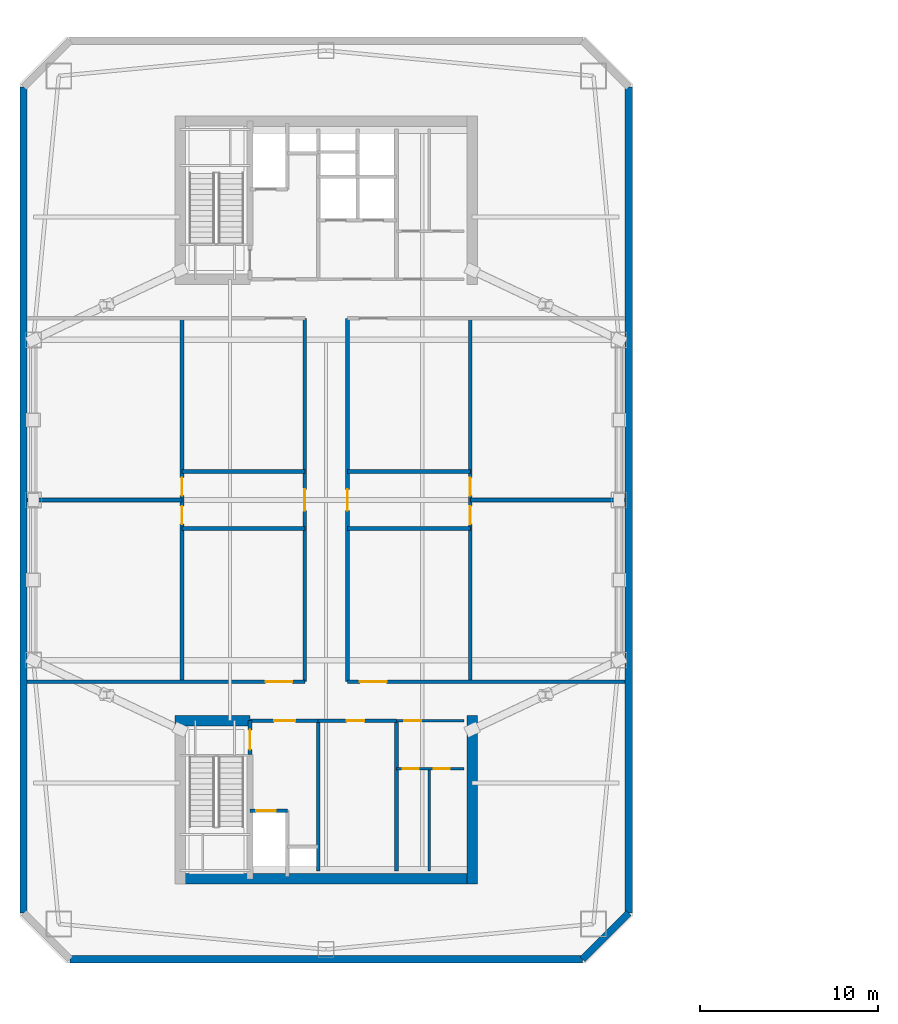
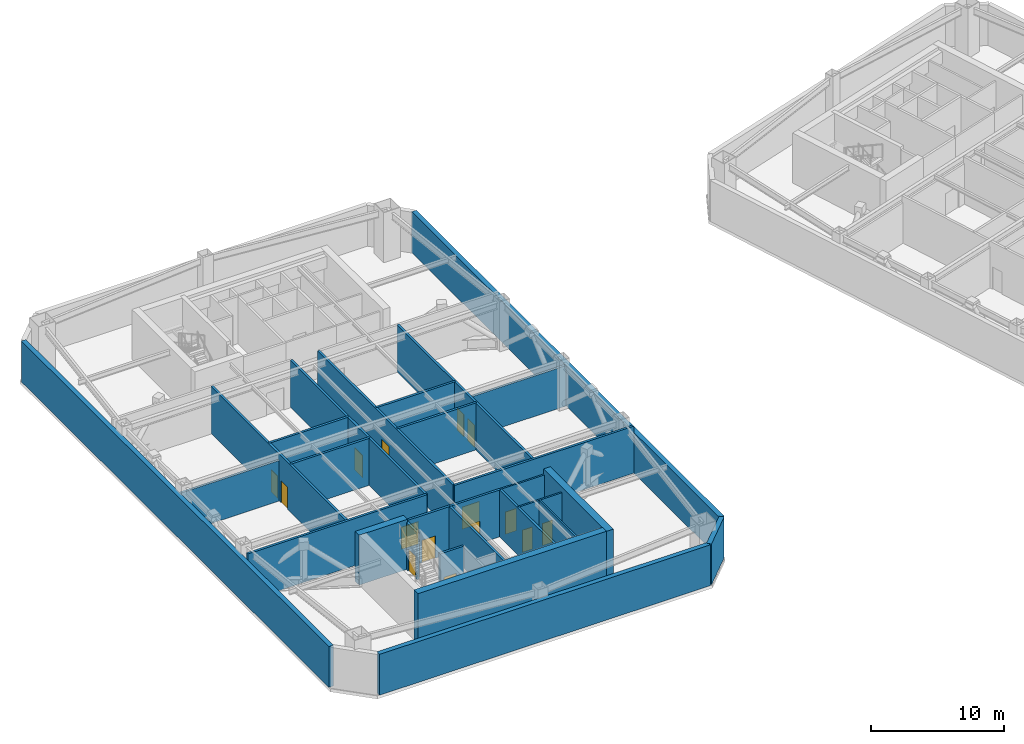
# One storey, part 10 of 17: 28 walls, 15 doors, 15 openings.
"""IFC4 building model written with IfcOpenShell, lengths in metres."""

from ifc_helpers import new_model, si_unit, direction, frame, frame_2d, origin, place, context, subcontext, project, spatial, rectangle, extrude, material, layer, layer_set, type_object, element, fill, save


model = new_model("IFC4")

# Units and contexts
model_context = context("Model", 3, precision=1e-05, world=origin(), true_north=direction((0.0, 1.0)))
body_context = subcontext(model_context, "Body", "Model", "MODEL_VIEW")
ifc_project = project(units=[si_unit("LENGTHUNIT", "METRE"), si_unit("AREAUNIT", "SQUARE_METRE"), si_unit("VOLUMEUNIT", "CUBIC_METRE"), si_unit("PLANEANGLEUNIT", "RADIAN"), si_unit("MASSUNIT", "GRAM", prefix="KILO")], contexts=[model_context])

# Site, building, storey
site_placement = place(None, origin())
site = spatial("IfcSite", under=ifc_project, at=site_placement, CompositionType="ELEMENT")
building_placement = place(site_placement, origin())
building = spatial("IfcBuilding", under=site, at=building_placement, Name="Qiaolan Cultural Towers", CompositionType="ELEMENT")
storey_placement = place(building_placement, frame((0.0, 0.0, 184.0)))
storey = spatial("IfcBuildingStorey", under=building, at=storey_placement, Name="L49", CompositionType="ELEMENT", Elevation=184.0)

# Walls
ifc_material_1 = material(Name="Concrete C55", Category="concrete")
ifc_layer_1 = layer(ifc_material_1, 0.60009765625)
ifc_layer_set_1 = layer_set([ifc_layer_1], Name="Concrete C55")
wall_type_1 = type_object("IfcWallType", Name="WL-CORE-600", PredefinedType="SHEAR", material=ifc_layer_set_1)
wall_1_placement = place(storey_placement, frame((21.5, 12.719970703125, 0.0), z_axis=(0.0, 0.0, 1.0), x_axis=(1.0, 0.0, 0.0)))
element("IfcWall", 1, at=wall_1_placement, inside=storey, type_object=wall_type_1, Name="L49 T1-CS Outer Core Shear Wall", PredefinedType="SHEAR", context=body_context, shape_type="SweptSolid", body=[
    extrude(rectangle(XDim=17.0, YDim=0.60009765625, at=frame_2d((8.5, 0.0))), origin(), (0.0, 0.0, 1.0), 4.60009765625),
])
wall_2_placement = place(storey_placement, frame((38.199951171875, 21.89990234375, 0.0), z_axis=(0.0, 0.0, 1.0), x_axis=(0.0, -1.0, 0.0)))
element("IfcWall", 2, at=wall_2_placement, inside=storey, type_object=wall_type_1, Name="L49 T1-CS East Core Shear Wall", PredefinedType="SHEAR", context=body_context, shape_type="SweptSolid", body=[
    extrude(rectangle(XDim=9.47998046875, YDim=0.60009765625, at=frame_2d((4.739990234375, 0.0))), origin(), (0.0, 0.0, 1.0), 4.60009765625),
])
wall_3_placement = place(storey_placement, frame((21.5, 21.60009765625, 0.0), z_axis=(0.0, 0.0, 1.0), x_axis=(1.0, 0.0, 0.0)))
element("IfcWall", 3, at=wall_3_placement, inside=storey, type_object=wall_type_1, Name="L49 T1-CS Stair Front Shear Wall", PredefinedType="SHEAR", context=body_context, shape_type="SweptSolid", body=[
    extrude(rectangle(XDim=4.219970703125, YDim=0.60009765625, at=frame_2d((2.10986328125, 0.0))), origin(), (0.0, 0.0, 1.0), 4.60009765625),
])
ifc_material_2 = material(Name="Precast Concrete C50 Honed Stone Pier", Category="masonry")
ifc_layer_2 = layer(ifc_material_2, 0.39990234375)
ifc_layer_set_2 = layer_set([ifc_layer_2], Name="Precast Concrete C50 Honed Stone Pier")
wall_type_2 = type_object("IfcWallType", Name="WL-EXT-PIER-400", PredefinedType="SOLIDWALL", material=ifc_layer_set_2)
for number, where, z_axis, x_axis, name in (
    (4, (13.0, 10.800048828125, 0.0), (0.0, 0.0, 1.0), (0.0, 1.0, 0.0), "L49 West Tower Precast Pier Facade Wall F1"),
    (5, (47.0, 57.199951171875, 0.0), (0.0, 0.0, 1.0), (0.0, -1.0, 0.0), "L49 West Tower Precast Pier Facade Wall F5"),
):
    element("IfcWall", number, at=place(storey_placement, frame(where, z_axis=z_axis, x_axis=x_axis)), inside=storey, type_object=wall_type_2, Name=name, PredefinedType="SOLIDWALL", context=body_context, shape_type="SweptSolid", body=[
        extrude(rectangle(XDim=46.39990234375, YDim=0.39990234375, at=frame_2d((23.199951171875, 0.0))), origin(), (0.0, 0.0, 1.0), 3.760009765625),
    ])
wall_4_placement = place(storey_placement, frame((47.0, 10.800048828125, 0.0), z_axis=(0.0, 0.0, 1.0), x_axis=(-0.707106781187, -0.707106781187, 0.0)))
element("IfcWall", 6, at=wall_4_placement, inside=storey, type_object=wall_type_2, Name="L49 West Tower Precast Pier Facade Wall F6", PredefinedType="SOLIDWALL", context=body_context, shape_type="SweptSolid", body=[
    extrude(rectangle(XDim=3.677001953125, YDim=0.39990234375, at=frame_2d((1.83837890625, 0.0))), origin(), (0.0, 0.0, 1.0), 3.760009765625),
])
wall_5_placement = place(storey_placement, frame((44.39990234375, 8.199951171875, 0.0), z_axis=(0.0, 0.0, 1.0), x_axis=(-1.0, 0.0, 0.0)))
element("IfcWall", 7, at=wall_5_placement, inside=storey, type_object=wall_type_2, Name="L49 West Tower Precast Pier Facade Wall F7", PredefinedType="SOLIDWALL", context=body_context, shape_type="SweptSolid", body=[
    extrude(rectangle(XDim=28.7998046875, YDim=0.39990234375, at=frame_2d((14.39990234375, 0.0))), origin(), (0.0, 0.0, 1.0), 3.760009765625),
])

# Wall, opening, door
ifc_material_3 = material(Name="Concrete C35 Fire Wall", Category="concrete")
ifc_layer_3 = layer(ifc_material_3, 0.199951171875)
ifc_layer_set_3 = layer_set([ifc_layer_3], Name="Concrete C35 Fire Wall")
wall_type_3 = type_object("IfcWallType", Name="WL-FIRE-200", PredefinedType="PARTITIONING", material=ifc_layer_set_3)
wall_6_placement = place(storey_placement, frame((25.719970703125, 21.60009765625, 0.0), z_axis=(0.0, 0.0, 1.0), x_axis=(0.0, -1.0, 0.0)))
wall_6 = element("IfcWall", 8, at=wall_6_placement, inside=storey, type_object=wall_type_3, Name="L49 T1-CS Smokeproof Stair Entry Wall", PredefinedType="PARTITIONING", context=body_context, shape_type="SweptSolid", body=[
    extrude(rectangle(XDim=1.900146484375, YDim=0.199951171875, at=frame_2d((0.9501953125, 0.0))), origin(), (0.0, 0.0, 1.0), 4.324951171875),
])
opening_1_placement = place(wall_6_placement, frame((0.52001953125, 0.0, 0.0)))
opening_1 = element("IfcOpeningElement", 9, at=opening_1_placement, cuts=wall_6, Name="Opening FD-04", PredefinedType="OPENING", context=body_context, shape_type="SweptSolid", body=[
    extrude(rectangle(XDim=1.10009765625, YDim=2.050048828125, at=frame_2d((0.550048828125, 1.02490234375))), frame((0.0, 0.10986328125, 0.0), z_axis=(0.0, -1.0, 0.0), x_axis=(1.0, 0.0, 0.0)), (0.0, 0.0, 1.0), 0.219970703125),
])
ifc_material_4 = material(Name="Galvanized Steel Command Fire Door", Category="steel")
door_type_1 = type_object("IfcDoorType", Name="DR-FD90-1100", OperationType="NOTDEFINED", PredefinedType="DOOR", material=ifc_material_4)
door_1_placement = place(opening_1_placement, origin())
door_1 = element("IfcDoor", 10, at=door_1_placement, inside=storey, type_object=door_type_1, Name="L49 ST-W1 Smokeproof Stair Fire Door", OperationType="SINGLE_SWING_LEFT", OverallHeight=2.050048828125, OverallWidth=1.10009765625, PredefinedType="DOOR", context=body_context, shape_type="SweptSolid", body=[
    extrude(rectangle(XDim=1.10009765625, YDim=2.050048828125, at=frame_2d((0.550048828125, 1.02490234375))), frame((0.0, 0.02490234375, 0.0), z_axis=(0.0, -1.0, 0.0), x_axis=(1.0, 0.0, 0.0)), (0.0, 0.0, 1.0), 0.050048828125),
])
fill(opening_1, door_1)

# Wall
wall_7_placement = place(storey_placement, frame((29.550048828125, 21.60009765625, 0.0), z_axis=(0.0, 0.0, 1.0), x_axis=(0.0, -1.0, 0.0)))
element("IfcWall", 11, at=wall_7_placement, inside=storey, type_object=wall_type_3, Name="L49 T1-CS Firefighting Zone Wall", PredefinedType="PARTITIONING", context=body_context, shape_type="SweptSolid", body=[
    extrude(rectangle(XDim=8.43017578125, YDim=0.199951171875, at=frame_2d((4.215087890625, 0.0))), origin(), (0.0, 0.0, 1.0), 4.324951171875),
])

# Wall, opening, door
wall_8_placement = place(storey_placement, frame((25.719970703125, 21.60009765625, 0.0), z_axis=(0.0, 0.0, 1.0), x_axis=(1.0, 0.0, 0.0)))
wall_8 = element("IfcWall", 12, at=wall_8_placement, inside=storey, type_object=wall_type_3, Name="L49 T1-CS Firefighting Lobby Front Wall", PredefinedType="PARTITIONING", context=body_context, shape_type="SweptSolid", body=[
    extrude(rectangle(XDim=3.830078125, YDim=0.199951171875, at=frame_2d((1.9150390625, 0.0))), origin(), (0.0, 0.0, 1.0), 4.324951171875),
])
opening_2_placement = place(wall_8_placement, frame((1.35009765625, 0.0, 0.0)))
opening_2 = element("IfcOpeningElement", 13, at=opening_2_placement, cuts=wall_8, Name="Opening FD-03", PredefinedType="OPENING", context=body_context, shape_type="SweptSolid", body=[
    extrude(rectangle(XDim=1.199951171875, YDim=2.050048828125, at=frame_2d((0.60009765625, 1.02490234375))), frame((0.0, 0.10986328125, 0.0), z_axis=(0.0, -1.0, 0.0), x_axis=(1.0, 0.0, 0.0)), (0.0, 0.0, 1.0), 0.219970703125),
])
ifc_material_5 = material(Name="Galvanized Steel Smokeproof Lobby Fire Door", Category="steel")
door_type_2 = type_object("IfcDoorType", Name="DR-FD90-1200", OperationType="NOTDEFINED", PredefinedType="DOOR", material=ifc_material_5)
door_2_placement = place(opening_2_placement, origin())
door_2 = element("IfcDoor", 14, at=door_2_placement, inside=storey, type_object=door_type_2, Name="L49 FFL-W1 Firefighting Lobby Fire Door", OperationType="SINGLE_SWING_LEFT", OverallHeight=2.050048828125, OverallWidth=1.199951171875, PredefinedType="DOOR", context=body_context, shape_type="SweptSolid", body=[
    extrude(rectangle(XDim=1.199951171875, YDim=2.050048828125, at=frame_2d((0.60009765625, 1.02490234375))), frame((0.0, 0.02490234375, 0.0), z_axis=(0.0, -1.0, 0.0), x_axis=(1.0, 0.0, 0.0)), (0.0, 0.0, 1.0), 0.050048828125),
])
fill(opening_2, door_2)

wall_9_placement = place(storey_placement, frame((25.719970703125, 16.550048828125, 0.0), z_axis=(0.0, 0.0, 1.0), x_axis=(1.0, 0.0, 0.0)))
wall_9 = element("IfcWall", 15, at=wall_9_placement, inside=storey, type_object=wall_type_3, Name="L49 T1-CS Firefighting Shaft Front Wall", PredefinedType="PARTITIONING", context=body_context, shape_type="SweptSolid", body=[
    extrude(rectangle(XDim=2.10009765625, YDim=0.199951171875, at=frame_2d((1.050048828125, 0.0))), origin(), (0.0, 0.0, 1.0), 4.324951171875),
])
opening_3_placement = place(wall_9_placement, frame((0.35009765625, 0.0, 0.0)))
opening_3 = element("IfcOpeningElement", 16, at=opening_3_placement, cuts=wall_9, Name="Opening LD-01", PredefinedType="OPENING", context=body_context, shape_type="SweptSolid", body=[
    extrude(rectangle(XDim=1.10009765625, YDim=2.050048828125, at=frame_2d((0.550048828125, 1.02490234375))), frame((0.0, 0.10986328125, 0.0), z_axis=(0.0, -1.0, 0.0), x_axis=(1.0, 0.0, 0.0)), (0.0, 0.0, 1.0), 0.219970703125),
])
ifc_material_6 = material(Name="Brushed Stainless Steel S30408 Centre-Parting Lift Landing Door", Category="steel")
door_type_3 = type_object("IfcDoorType", Name="DR-LIFT-1100", OperationType="NOTDEFINED", PredefinedType="DOOR", material=ifc_material_6)
door_3_placement = place(opening_3_placement, origin())
door_3 = element("IfcDoor", 17, at=door_3_placement, inside=storey, type_object=door_type_3, Name="L49 FFL-W1 Firefighting Lift Landing Door", OperationType="DOUBLE_DOOR_SLIDING", OverallHeight=2.050048828125, OverallWidth=1.10009765625, PredefinedType="DOOR", context=body_context, shape_type="SweptSolid", body=[
    extrude(rectangle(XDim=1.10009765625, YDim=2.050048828125, at=frame_2d((0.550048828125, 1.02490234375))), frame((0.0, 0.02490234375, 0.0), z_axis=(0.0, -1.0, 0.0), x_axis=(1.0, 0.0, 0.0)), (0.0, 0.0, 1.0), 0.050048828125),
])
fill(opening_3, door_3)

# Wall
wall_10_placement = place(storey_placement, frame((33.949951171875, 21.60009765625, 0.0), z_axis=(0.0, 0.0, 1.0), x_axis=(0.0, -1.0, 0.0)))
element("IfcWall", 18, at=wall_10_placement, inside=storey, type_object=wall_type_3, Name="L49 T1-CS Lift Core East Wall", PredefinedType="PARTITIONING", context=body_context, shape_type="SweptSolid", body=[
    extrude(rectangle(XDim=8.43017578125, YDim=0.199951171875, at=frame_2d((4.215087890625, 0.0))), origin(), (0.0, 0.0, 1.0), 4.324951171875),
])

# Wall, opening, door
wall_11_placement = place(storey_placement, frame((29.550048828125, 21.60009765625, 0.0), z_axis=(0.0, 0.0, 1.0), x_axis=(1.0, 0.0, 0.0)))
wall_11 = element("IfcWall", 19, at=wall_11_placement, inside=storey, type_object=wall_type_3, Name="L49 T1-CS Refuge Core Riser Wall", PredefinedType="PARTITIONING", context=body_context, shape_type="SweptSolid", body=[
    extrude(rectangle(XDim=4.39990234375, YDim=0.199951171875, at=frame_2d((2.199951171875, 0.0))), origin(), (0.0, 0.0, 1.0), 4.324951171875),
])
opening_4_placement = place(wall_11_placement, frame((1.60009765625, 0.0, 0.0)))
opening_4 = element("IfcOpeningElement", 20, at=opening_4_placement, cuts=wall_11, Name="Opening FD-07", PredefinedType="OPENING", context=body_context, shape_type="SweptSolid", body=[
    extrude(rectangle(XDim=1.0, YDim=2.050048828125, at=frame_2d((0.5, 1.02490234375))), frame((0.0, 0.10986328125, 0.0), z_axis=(0.0, -1.0, 0.0), x_axis=(1.0, 0.0, 0.0)), (0.0, 0.0, 1.0), 0.219970703125),
])
ifc_material_7 = material(Name="Painted Steel Riser Fire Door", Category="steel")
door_type_4 = type_object("IfcDoorType", Name="DR-FD60-1000", OperationType="NOTDEFINED", PredefinedType="DOOR", material=ifc_material_7)
door_4_placement = place(opening_4_placement, origin())
door_4 = element("IfcDoor", 21, at=door_4_placement, inside=storey, type_object=door_type_4, Name="L49 Core Plant Room Door", OperationType="SINGLE_SWING_LEFT", OverallHeight=2.050048828125, OverallWidth=1.0, PredefinedType="DOOR", context=body_context, shape_type="SweptSolid", body=[
    extrude(rectangle(XDim=1.0, YDim=2.050048828125, at=frame_2d((0.5, 1.02490234375))), frame((0.0, 0.02490234375, 0.0), z_axis=(0.0, -1.0, 0.0), x_axis=(1.0, 0.0, 0.0)), (0.0, 0.0, 1.0), 0.050048828125),
])
fill(opening_4, door_4)

wall_12_placement = place(storey_placement, frame((13.199951171875, 23.800048828125, 0.0), z_axis=(0.0, 0.0, 1.0), x_axis=(1.0, 0.0, 0.0)))
wall_12 = element("IfcWall", 22, at=wall_12_placement, inside=storey, type_object=wall_type_3, Name="L49 T1 Fire Rated Plant/Refuge Wall SBW", PredefinedType="PARTITIONING", context=body_context, shape_type="SweptSolid", body=[
    extrude(rectangle(XDim=15.60009765625, YDim=0.199951171875, at=frame_2d((7.800048828125, 0.0))), origin(), (0.0, 0.0, 1.0), 4.324951171875),
])
opening_5_placement = place(wall_12_placement, frame((13.39990234375, 0.0, 0.0)))
opening_5 = element("IfcOpeningElement", 23, at=opening_5_placement, cuts=wall_12, Name="Opening FD-02", PredefinedType="OPENING", context=body_context, shape_type="SweptSolid", body=[
    extrude(rectangle(XDim=1.5, YDim=2.050048828125, at=frame_2d((0.75, 1.02490234375))), frame((0.0, 0.10986328125, 0.0), z_axis=(0.0, -1.0, 0.0), x_axis=(1.0, 0.0, 0.0)), (0.0, 0.0, 1.0), 0.219970703125),
])
ifc_material_8 = material(Name="Galvanized Steel Double Fire Door", Category="steel")
door_type_5 = type_object("IfcDoorType", Name="DR-FD90-1500", OperationType="NOTDEFINED", PredefinedType="DOOR", material=ifc_material_8)
door_5_placement = place(opening_5_placement, origin())
door_5 = element("IfcDoor", 24, at=door_5_placement, inside=storey, type_object=door_type_5, Name="L49 T1 West South Refuge Fire Door", OperationType="SINGLE_SWING_LEFT", OverallHeight=2.050048828125, OverallWidth=1.5, PredefinedType="DOOR", context=body_context, shape_type="SweptSolid", body=[
    extrude(rectangle(XDim=1.5, YDim=2.050048828125, at=frame_2d((0.75, 1.02490234375))), frame((0.0, 0.02490234375, 0.0), z_axis=(0.0, -1.0, 0.0), x_axis=(1.0, 0.0, 0.0)), (0.0, 0.0, 1.0), 0.050048828125),
])
fill(opening_5, door_5)

wall_13_placement = place(storey_placement, frame((31.199951171875, 23.800048828125, 0.0), z_axis=(0.0, 0.0, 1.0), x_axis=(1.0, 0.0, 0.0)))
wall_13 = element("IfcWall", 25, at=wall_13_placement, inside=storey, type_object=wall_type_3, Name="L49 T1 Fire Rated Plant/Refuge Wall SBE", PredefinedType="PARTITIONING", context=body_context, shape_type="SweptSolid", body=[
    extrude(rectangle(XDim=15.60009765625, YDim=0.199951171875, at=frame_2d((7.800048828125, 0.0))), origin(), (0.0, 0.0, 1.0), 4.324951171875),
])
opening_6_placement = place(wall_13_placement, frame((0.699951171875, 0.0, 0.0)))
opening_6 = element("IfcOpeningElement", 26, at=opening_6_placement, cuts=wall_13, Name="Opening FD-02", PredefinedType="OPENING", context=body_context, shape_type="SweptSolid", body=[
    extrude(rectangle(XDim=1.5, YDim=2.050048828125, at=frame_2d((0.75, 1.02490234375))), frame((0.0, 0.10986328125, 0.0), z_axis=(0.0, -1.0, 0.0), x_axis=(1.0, 0.0, 0.0)), (0.0, 0.0, 1.0), 0.219970703125),
])
door_6_placement = place(opening_6_placement, origin())
door_6 = element("IfcDoor", 27, at=door_6_placement, inside=storey, type_object=door_type_5, Name="L49 T1 East South Refuge Fire Door", OperationType="SINGLE_SWING_RIGHT", OverallHeight=2.050048828125, OverallWidth=1.5, PredefinedType="DOOR", context=body_context, shape_type="SweptSolid", body=[
    extrude(rectangle(XDim=1.5, YDim=2.050048828125, at=frame_2d((0.75, 1.02490234375))), frame((0.0, 0.02490234375, 0.0), z_axis=(0.0, -1.0, 0.0), x_axis=(1.0, 0.0, 0.0)), (0.0, 0.0, 1.0), 0.050048828125),
])
fill(opening_6, door_6)

wall_14_placement = place(storey_placement, frame((28.800048828125, 23.800048828125, 0.0), z_axis=(0.0, 0.0, 1.0), x_axis=(0.0, 1.0, 0.0)))
wall_14 = element("IfcWall", 28, at=wall_14_placement, inside=storey, type_object=wall_type_3, Name="L49 T1 Fire Rated Plant/Refuge Wall CL", PredefinedType="PARTITIONING", context=body_context, shape_type="SweptSolid", body=[
    extrude(rectangle(XDim=20.39990234375, YDim=0.199951171875, at=frame_2d((10.199951171875, 0.0))), origin(), (0.0, 0.0, 1.0), 4.324951171875),
])
opening_7_placement = place(wall_14_placement, frame((9.60009765625, 0.0, 0.0)))
opening_7 = element("IfcOpeningElement", 29, at=opening_7_placement, cuts=wall_14, Name="Opening FD-03", PredefinedType="OPENING", context=body_context, shape_type="SweptSolid", body=[
    extrude(rectangle(XDim=1.199951171875, YDim=2.050048828125, at=frame_2d((0.60009765625, 1.02490234375))), frame((0.0, 0.10986328125, 0.0), z_axis=(0.0, -1.0, 0.0), x_axis=(1.0, 0.0, 0.0)), (0.0, 0.0, 1.0), 0.219970703125),
])
door_7_placement = place(opening_7_placement, origin())
door_7 = element("IfcDoor", 30, at=door_7_placement, inside=storey, type_object=door_type_2, Name="L49 T1 West Plant Passage Door", OperationType="SINGLE_SWING_LEFT", OverallHeight=2.050048828125, OverallWidth=1.199951171875, PredefinedType="DOOR", context=body_context, shape_type="SweptSolid", body=[
    extrude(rectangle(XDim=1.199951171875, YDim=2.050048828125, at=frame_2d((0.60009765625, 1.02490234375))), frame((0.0, 0.02490234375, 0.0), z_axis=(0.0, -1.0, 0.0), x_axis=(1.0, 0.0, 0.0)), (0.0, 0.0, 1.0), 0.050048828125),
])
fill(opening_7, door_7)

wall_15_placement = place(storey_placement, frame((31.199951171875, 23.800048828125, 0.0), z_axis=(0.0, 0.0, 1.0), x_axis=(0.0, 1.0, 0.0)))
wall_15 = element("IfcWall", 31, at=wall_15_placement, inside=storey, type_object=wall_type_3, Name="L49 T1 Fire Rated Plant/Refuge Wall CR", PredefinedType="PARTITIONING", context=body_context, shape_type="SweptSolid", body=[
    extrude(rectangle(XDim=20.39990234375, YDim=0.199951171875, at=frame_2d((10.199951171875, 0.0))), origin(), (0.0, 0.0, 1.0), 4.324951171875),
])
opening_8_placement = place(wall_15_placement, frame((9.60009765625, 0.0, 0.0)))
opening_8 = element("IfcOpeningElement", 32, at=opening_8_placement, cuts=wall_15, Name="Opening FD-03", PredefinedType="OPENING", context=body_context, shape_type="SweptSolid", body=[
    extrude(rectangle(XDim=1.199951171875, YDim=2.050048828125, at=frame_2d((0.60009765625, 1.02490234375))), frame((0.0, 0.10986328125, 0.0), z_axis=(0.0, -1.0, 0.0), x_axis=(1.0, 0.0, 0.0)), (0.0, 0.0, 1.0), 0.219970703125),
])
door_8_placement = place(opening_8_placement, origin())
door_8 = element("IfcDoor", 33, at=door_8_placement, inside=storey, type_object=door_type_2, Name="L49 T1 East Plant Passage Door", OperationType="SINGLE_SWING_RIGHT", OverallHeight=2.050048828125, OverallWidth=1.199951171875, PredefinedType="DOOR", context=body_context, shape_type="SweptSolid", body=[
    extrude(rectangle(XDim=1.199951171875, YDim=2.050048828125, at=frame_2d((0.60009765625, 1.02490234375))), frame((0.0, 0.02490234375, 0.0), z_axis=(0.0, -1.0, 0.0), x_axis=(1.0, 0.0, 0.0)), (0.0, 0.0, 1.0), 0.050048828125),
])
fill(opening_8, door_8)

# Wall, openings, doors
wall_16_placement = place(storey_placement, frame((21.89990234375, 23.800048828125, 0.0), z_axis=(0.0, 0.0, 1.0), x_axis=(0.0, 1.0, 0.0)))
wall_16 = element("IfcWall", 34, at=wall_16_placement, inside=storey, type_object=wall_type_3, Name="L49 T1 Fire Rated Plant/Refuge Wall WL", PredefinedType="PARTITIONING", context=body_context, shape_type="SweptSolid", body=[
    extrude(rectangle(XDim=20.39990234375, YDim=0.199951171875, at=frame_2d((10.199951171875, 0.0))), origin(), (0.0, 0.0, 1.0), 4.324951171875),
])
opening_9_placement = place(wall_16_placement, frame((8.85009765625, 0.0, 0.0)))
opening_9 = element("IfcOpeningElement", 35, at=opening_9_placement, cuts=wall_16, Name="Opening FD-07", PredefinedType="OPENING", context=body_context, shape_type="SweptSolid", body=[
    extrude(rectangle(XDim=1.0, YDim=2.050048828125, at=frame_2d((0.5, 1.02490234375))), frame((0.0, 0.10986328125, 0.0), z_axis=(0.0, -1.0, 0.0), x_axis=(1.0, 0.0, 0.0)), (0.0, 0.0, 1.0), 0.219970703125),
])
opening_10_placement = place(wall_16_placement, frame((10.449951171875, 0.0, 0.0)))
opening_10 = element("IfcOpeningElement", 36, at=opening_10_placement, cuts=wall_16, Name="Opening FD-07", PredefinedType="OPENING", context=body_context, shape_type="SweptSolid", body=[
    extrude(rectangle(XDim=1.0, YDim=2.050048828125, at=frame_2d((0.5, 1.02490234375))), frame((0.0, 0.10986328125, 0.0), z_axis=(0.0, -1.0, 0.0), x_axis=(1.0, 0.0, 0.0)), (0.0, 0.0, 1.0), 0.219970703125),
])
door_9_placement = place(opening_9_placement, origin())
door_9 = element("IfcDoor", 37, at=door_9_placement, inside=storey, type_object=door_type_4, Name="L49 T1 West Chiller Plant Door", OperationType="SINGLE_SWING_LEFT", OverallHeight=2.050048828125, OverallWidth=1.0, PredefinedType="DOOR", context=body_context, shape_type="SweptSolid", body=[
    extrude(rectangle(XDim=1.0, YDim=2.050048828125, at=frame_2d((0.5, 1.02490234375))), frame((0.0, 0.02490234375, 0.0), z_axis=(0.0, -1.0, 0.0), x_axis=(1.0, 0.0, 0.0)), (0.0, 0.0, 1.0), 0.050048828125),
])
fill(opening_9, door_9)
door_10_placement = place(opening_10_placement, origin())
door_10 = element("IfcDoor", 38, at=door_10_placement, inside=storey, type_object=door_type_4, Name="L49 T1 West Fire Water Pump Plant Door", OperationType="SINGLE_SWING_RIGHT", OverallHeight=2.050048828125, OverallWidth=1.0, PredefinedType="DOOR", context=body_context, shape_type="SweptSolid", body=[
    extrude(rectangle(XDim=1.0, YDim=2.050048828125, at=frame_2d((0.5, 1.02490234375))), frame((0.0, 0.02490234375, 0.0), z_axis=(0.0, -1.0, 0.0), x_axis=(1.0, 0.0, 0.0)), (0.0, 0.0, 1.0), 0.050048828125),
])
fill(opening_10, door_10)

wall_17_placement = place(storey_placement, frame((38.10009765625, 23.800048828125, 0.0), z_axis=(0.0, 0.0, 1.0), x_axis=(0.0, 1.0, 0.0)))
wall_17 = element("IfcWall", 39, at=wall_17_placement, inside=storey, type_object=wall_type_3, Name="L49 T1 Fire Rated Plant/Refuge Wall ER", PredefinedType="PARTITIONING", context=body_context, shape_type="SweptSolid", body=[
    extrude(rectangle(XDim=20.39990234375, YDim=0.199951171875, at=frame_2d((10.199951171875, 0.0))), origin(), (0.0, 0.0, 1.0), 4.324951171875),
])
opening_11_placement = place(wall_17_placement, frame((8.85009765625, 0.0, 0.0)))
opening_11 = element("IfcOpeningElement", 40, at=opening_11_placement, cuts=wall_17, Name="Opening FD-07", PredefinedType="OPENING", context=body_context, shape_type="SweptSolid", body=[
    extrude(rectangle(XDim=1.0, YDim=2.050048828125, at=frame_2d((0.5, 1.02490234375))), frame((0.0, 0.10986328125, 0.0), z_axis=(0.0, -1.0, 0.0), x_axis=(1.0, 0.0, 0.0)), (0.0, 0.0, 1.0), 0.219970703125),
])
opening_12_placement = place(wall_17_placement, frame((10.449951171875, 0.0, 0.0)))
opening_12 = element("IfcOpeningElement", 41, at=opening_12_placement, cuts=wall_17, Name="Opening FD-07", PredefinedType="OPENING", context=body_context, shape_type="SweptSolid", body=[
    extrude(rectangle(XDim=1.0, YDim=2.050048828125, at=frame_2d((0.5, 1.02490234375))), frame((0.0, 0.10986328125, 0.0), z_axis=(0.0, -1.0, 0.0), x_axis=(1.0, 0.0, 0.0)), (0.0, 0.0, 1.0), 0.219970703125),
])
door_11_placement = place(opening_11_placement, origin())
door_11 = element("IfcDoor", 42, at=door_11_placement, inside=storey, type_object=door_type_4, Name="L49 T1 East AHU Plant Door", OperationType="SINGLE_SWING_LEFT", OverallHeight=2.050048828125, OverallWidth=1.0, PredefinedType="DOOR", context=body_context, shape_type="SweptSolid", body=[
    extrude(rectangle(XDim=1.0, YDim=2.050048828125, at=frame_2d((0.5, 1.02490234375))), frame((0.0, 0.02490234375, 0.0), z_axis=(0.0, -1.0, 0.0), x_axis=(1.0, 0.0, 0.0)), (0.0, 0.0, 1.0), 0.050048828125),
])
fill(opening_11, door_11)
door_12_placement = place(opening_12_placement, origin())
door_12 = element("IfcDoor", 43, at=door_12_placement, inside=storey, type_object=door_type_4, Name="L49 T1 East Electrical Substation Door", OperationType="SINGLE_SWING_RIGHT", OverallHeight=2.050048828125, OverallWidth=1.0, PredefinedType="DOOR", context=body_context, shape_type="SweptSolid", body=[
    extrude(rectangle(XDim=1.0, YDim=2.050048828125, at=frame_2d((0.5, 1.02490234375))), frame((0.0, 0.02490234375, 0.0), z_axis=(0.0, -1.0, 0.0), x_axis=(1.0, 0.0, 0.0)), (0.0, 0.0, 1.0), 0.050048828125),
])
fill(opening_12, door_12)

# Walls
for number, where, z_axis, x_axis, name in (
    (44, (13.199951171875, 34.0, 0.0), (0.0, 0.0, 1.0), (1.0, 0.0, 0.0), "L49 T1 Fire Rated Plant/Refuge Wall WMID"),
    (45, (38.10009765625, 34.0, 0.0), (0.0, 0.0, 1.0), (1.0, 0.0, 0.0), "L49 T1 Fire Rated Plant/Refuge Wall EMID"),
):
    element("IfcWall", number, at=place(storey_placement, frame(where, z_axis=z_axis, x_axis=x_axis)), inside=storey, type_object=wall_type_3, Name=name, PredefinedType="PARTITIONING", context=body_context, shape_type="SweptSolid", body=[
        extrude(rectangle(XDim=8.699951171875, YDim=0.199951171875, at=frame_2d((4.35009765625, 0.0))), origin(), (0.0, 0.0, 1.0), 3.72705078125),
    ])
for number, where, z_axis, x_axis, name in (
    (46, (21.89990234375, 32.39990234375, 0.0), (0.0, 0.0, 1.0), (1.0, 0.0, 0.0), "L49 T1 Fire Rated Plant/Refuge Wall SVS-WL"),
    (47, (21.89990234375, 35.60009765625, 0.0), (0.0, 0.0, 1.0), (1.0, 0.0, 0.0), "L49 T1 Fire Rated Plant/Refuge Wall SVS-NL"),
    (48, (31.199951171875, 32.39990234375, 0.0), (0.0, 0.0, 1.0), (1.0, 0.0, 0.0), "L49 T1 Fire Rated Plant/Refuge Wall SVS-WR"),
    (49, (31.199951171875, 35.60009765625, 0.0), (0.0, 0.0, 1.0), (1.0, 0.0, 0.0), "L49 T1 Fire Rated Plant/Refuge Wall SVS-NR"),
):
    element("IfcWall", number, at=place(storey_placement, frame(where, z_axis=z_axis, x_axis=x_axis)), inside=storey, type_object=wall_type_3, Name=name, PredefinedType="PARTITIONING", context=body_context, shape_type="SweptSolid", body=[
        extrude(rectangle(XDim=6.900146484375, YDim=0.199951171875, at=frame_2d((3.4501953125, 0.0))), origin(), (0.0, 0.0, 1.0), 4.324951171875),
    ])

# Wall, opening, door
ifc_material_9 = material(Name="Autoclaved Aerated Concrete Block B06", Category="concrete")
ifc_layer_4 = layer(ifc_material_9, 0.14990234375)
ifc_layer_set_4 = layer_set([ifc_layer_4], Name="Autoclaved Aerated Concrete Block B06")
wall_type_4 = type_object("IfcWallType", Name="WL-PART-150", PredefinedType="PARTITIONING", material=ifc_layer_set_4)
wall_18_placement = place(storey_placement, frame((33.949951171875, 21.60009765625, 0.0), z_axis=(0.0, 0.0, 1.0), x_axis=(1.0, 0.0, 0.0)))
wall_18 = element("IfcWall", 50, at=wall_18_placement, inside=storey, type_object=wall_type_4, Name="L49 T1-CS Sanitary Core Front Wall", PredefinedType="PARTITIONING", context=body_context, shape_type="SweptSolid", body=[
    extrude(rectangle(XDim=3.800048828125, YDim=0.14990234375, at=frame_2d((1.89990234375, 0.0))), origin(), (0.0, 0.0, 1.0), 4.324951171875),
])
opening_13_placement = place(wall_18_placement, frame((0.449951171875, 0.0, 0.0)))
opening_13 = element("IfcOpeningElement", 51, at=opening_13_placement, cuts=wall_18, Name="Opening ID-05", PredefinedType="OPENING", context=body_context, shape_type="SweptSolid", body=[
    extrude(rectangle(XDim=0.949951171875, YDim=2.050048828125, at=frame_2d((0.47509765625, 1.02490234375))), frame((0.0, 0.0849609375, 0.0), z_axis=(0.0, -1.0, 0.0), x_axis=(1.0, 0.0, 0.0)), (0.0, 0.0, 1.0), 0.169921875),
])
ifc_material_10 = material(Name="Fire-Rated Laminate Accessible Core Door", Category="timber")
door_type_6 = type_object("IfcDoorType", Name="DR-INT-950", OperationType="NOTDEFINED", PredefinedType="DOOR", material=ifc_material_10)
door_13_placement = place(opening_13_placement, origin())
door_13 = element("IfcDoor", 52, at=door_13_placement, inside=storey, type_object=door_type_6, Name="L49 Sanitary Vestibule Door", OperationType="SINGLE_SWING_LEFT", OverallHeight=2.050048828125, OverallWidth=0.949951171875, PredefinedType="DOOR", context=body_context, shape_type="SweptSolid", body=[
    extrude(rectangle(XDim=0.949951171875, YDim=2.050048828125, at=frame_2d((0.47509765625, 1.02490234375))), frame((0.0, 0.02490234375, 0.0), z_axis=(0.0, -1.0, 0.0), x_axis=(1.0, 0.0, 0.0)), (0.0, 0.0, 1.0), 0.050048828125),
])
fill(opening_13, door_13)

# Wall, openings, doors
wall_19_placement = place(storey_placement, frame((33.949951171875, 18.89990234375, 0.0), z_axis=(0.0, 0.0, 1.0), x_axis=(1.0, 0.0, 0.0)))
wall_19 = element("IfcWall", 53, at=wall_19_placement, inside=storey, type_object=wall_type_4, Name="L49 T1-CS Restroom Vestibule Wall", PredefinedType="PARTITIONING", context=body_context, shape_type="SweptSolid", body=[
    extrude(rectangle(XDim=3.800048828125, YDim=0.14990234375, at=frame_2d((1.89990234375, 0.0))), origin(), (0.0, 0.0, 1.0), 4.324951171875),
])
opening_14_placement = place(wall_19_placement, frame((0.35009765625, 0.0, 0.0)))
opening_14 = element("IfcOpeningElement", 54, at=opening_14_placement, cuts=wall_19, Name="Opening ID-06", PredefinedType="OPENING", context=body_context, shape_type="SweptSolid", body=[
    extrude(rectangle(XDim=0.89990234375, YDim=2.050048828125, at=frame_2d((0.449951171875, 1.02490234375))), frame((0.0, 0.0849609375, 0.0), z_axis=(0.0, -1.0, 0.0), x_axis=(1.0, 0.0, 0.0)), (0.0, 0.0, 1.0), 0.169921875),
])
opening_15_placement = place(wall_19_placement, frame((2.10009765625, 0.0, 0.0)))
opening_15 = element("IfcOpeningElement", 55, at=opening_15_placement, cuts=wall_19, Name="Opening ID-06", PredefinedType="OPENING", context=body_context, shape_type="SweptSolid", body=[
    extrude(rectangle(XDim=0.89990234375, YDim=2.050048828125, at=frame_2d((0.449951171875, 1.02490234375))), frame((0.0, 0.0849609375, 0.0), z_axis=(0.0, -1.0, 0.0), x_axis=(1.0, 0.0, 0.0)), (0.0, 0.0, 1.0), 0.169921875),
])
ifc_material_11 = material(Name="Fire-Rated Laminate Core Service Door", Category="timber")
door_type_7 = type_object("IfcDoorType", Name="DR-INT-900", OperationType="NOTDEFINED", PredefinedType="DOOR", material=ifc_material_11)
door_14_placement = place(opening_14_placement, origin())
door_14 = element("IfcDoor", 56, at=door_14_placement, inside=storey, type_object=door_type_7, Name="L49 Men Restroom Door", OperationType="SINGLE_SWING_LEFT", OverallHeight=2.050048828125, OverallWidth=0.89990234375, PredefinedType="DOOR", context=body_context, shape_type="SweptSolid", body=[
    extrude(rectangle(XDim=0.89990234375, YDim=2.050048828125, at=frame_2d((0.449951171875, 1.02490234375))), frame((0.0, 0.02490234375, 0.0), z_axis=(0.0, -1.0, 0.0), x_axis=(1.0, 0.0, 0.0)), (0.0, 0.0, 1.0), 0.050048828125),
])
fill(opening_14, door_14)
door_15_placement = place(opening_15_placement, origin())
door_15 = element("IfcDoor", 57, at=door_15_placement, inside=storey, type_object=door_type_7, Name="L49 Accessible & Women Restroom Door", OperationType="SINGLE_SWING_RIGHT", OverallHeight=2.050048828125, OverallWidth=0.89990234375, PredefinedType="DOOR", context=body_context, shape_type="SweptSolid", body=[
    extrude(rectangle(XDim=0.89990234375, YDim=2.050048828125, at=frame_2d((0.449951171875, 1.02490234375))), frame((0.0, 0.02490234375, 0.0), z_axis=(0.0, -1.0, 0.0), x_axis=(1.0, 0.0, 0.0)), (0.0, 0.0, 1.0), 0.050048828125),
])
fill(opening_15, door_15)

# Wall
wall_20_placement = place(storey_placement, frame((35.800048828125, 18.89990234375, 0.0), z_axis=(0.0, 0.0, 1.0), x_axis=(0.0, -1.0, 0.0)))
element("IfcWall", 58, at=wall_20_placement, inside=storey, type_object=wall_type_4, Name="L49 T1-CS Restroom Divider Wall", PredefinedType="PARTITIONING", context=body_context, shape_type="SweptSolid", body=[
    extrude(rectangle(XDim=5.72998046875, YDim=0.14990234375, at=frame_2d((2.864990234375, 0.0))), origin(), (0.0, 0.0, 1.0), 4.324951171875),
])

save(model, "model.ifc")
